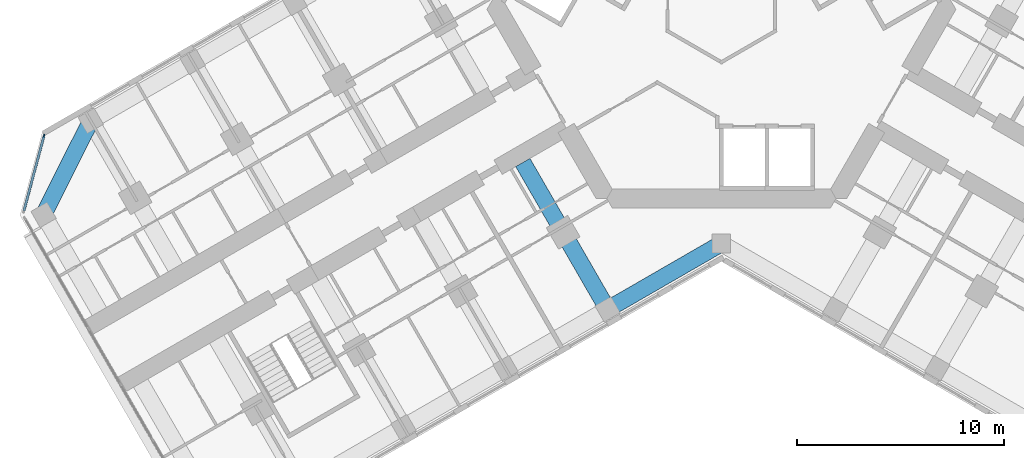
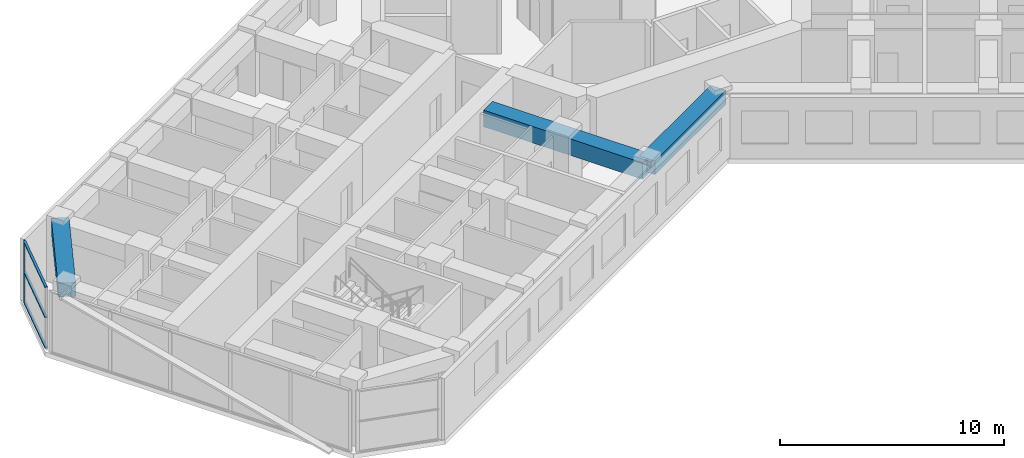
# One storey, part 3 of 19: 4 members, 3 beams, 1 element without a shape of its own.
"""IFC4 building model written with IfcOpenShell, lengths in metres."""

from ifc_helpers import new_model, si_unit, direction, frame, origin, origin_2d, place, context, subcontext, project, spatial, rectangle, extrude, material, material_profile, profile_set, type_object, element, aggregate, save


model = new_model("IFC4")

# Units and contexts
model_context = context("Model", 3, precision=1e-05, world=origin(), true_north=direction((0.0, 1.0)))
body_context = subcontext(model_context, "Body", "Model", "MODEL_VIEW")
ifc_project = project(units=[si_unit("LENGTHUNIT", "METRE"), si_unit("AREAUNIT", "SQUARE_METRE"), si_unit("VOLUMEUNIT", "CUBIC_METRE"), si_unit("PLANEANGLEUNIT", "RADIAN"), si_unit("MASSUNIT", "GRAM", prefix="KILO")], contexts=[model_context])

# Site, building, storey
site_placement = place(None, origin())
site = spatial("IfcSite", under=ifc_project, at=site_placement, CompositionType="ELEMENT")
building_placement = place(site_placement, origin())
building = spatial("IfcBuilding", under=site, at=building_placement, Name="Kosmar Iwan School Tower", CompositionType="ELEMENT")
storey_placement = place(building_placement, frame((0.0, 0.0, 141.800048828125)))
storey = spatial("IfcBuildingStorey", under=building, at=storey_placement, Name="L35", CompositionType="ELEMENT", Elevation=141.800048828125)

# Curtain wall, member
ifc_material_1 = material(Name="Dark glass in black aluminium frame", Category="aluminium")
curtain_wall_type = type_object("IfcCurtainWallType", Name="Chamfer curtain wall dark glass", PredefinedType="USERDEFINED", material=ifc_material_1)
curtain_wall_placement = place(storey_placement, origin())
curtain_wall = element("IfcCurtainWall", 1, at=curtain_wall_placement, inside=storey, type_object=curtain_wall_type, Name="Curtain wall L35-F12", ObjectType="FACETED CURTAIN WALL", PredefinedType="USERDEFINED")
ifc_material_2 = material(Name="Black anodised aluminium", Category="aluminium")
ifc_material_profile_1 = material_profile(ifc_material_2, rectangle(XDim=0.06005859375, YDim=0.159912109375, at=origin_2d()), Name="MULLION 60x160")
ifc_profile_set_1 = profile_set([ifc_material_profile_1], Name="Black anodised aluminium")
member_type_1 = type_object("IfcMemberType", Name="Mullion 60x160", PredefinedType="MULLION", material=ifc_profile_set_1)
member_1_placement = place(storey_placement, frame((-32.78076171875, -6.5732421875, 0.0), z_axis=(0.0, 0.0, 1.0), x_axis=(0.965925875495, -0.258818861462, 0.0)))
member_1 = element("IfcMember", 2, at=member_1_placement, type_object=member_type_1, Name="CW2 mullion 1", PredefinedType="MULLION", context=body_context, shape_type="SweptSolid", body=[
    extrude(rectangle(XDim=0.06005859375, YDim=0.159912109375, at=origin_2d()), origin(), (0.0, 0.0, 1.0), 3.349853515625),
])

# Beams
ifc_material_3 = material(Name="Concrete C50/60", Category="concrete")
ifc_material_profile_2 = material_profile(ifc_material_3, rectangle(XDim=0.800048828125, YDim=0.75, at=origin_2d()), Name="RC 800x750")
ifc_profile_set_2 = profile_set([ifc_material_profile_2], Name="Concrete C50/60")
beam_type_1 = type_object("IfcBeamType", Name="RC edge beam 800x750", PredefinedType="BEAM", material=ifc_profile_set_2)
beam_1_placement = place(storey_placement, frame((0.0, -11.77783203125, 2.974853515625), z_axis=(-0.866014293216, -0.500019243575, 0.0), x_axis=(0.500019243575, -0.866014293216, 0.0)))
element("IfcBeam", 3, at=beam_1_placement, inside=storey, type_object=beam_type_1, Name="Edge beam BL1", PredefinedType="BEAM", context=body_context, shape_type="SweptSolid", body=[
    extrude(rectangle(XDim=0.800048828125, YDim=0.75, at=origin_2d()), origin(), (0.0, 0.0, 1.0), 6.361083984375),
])
ifc_material_4 = material(Name="Concrete C50/60", Category="concrete")
ifc_material_profile_3 = material_profile(ifc_material_4, rectangle(XDim=0.800048828125, YDim=0.75, at=origin_2d()), Name="RC 800x750")
ifc_profile_set_3 = profile_set([ifc_material_profile_3], Name="Concrete C50/60")
beam_type_2 = type_object("IfcBeamType", Name="RC tip beam 800x750", PredefinedType="BEAM", material=ifc_profile_set_3)
beam_2_placement = place(storey_placement, frame((-30.517822265625, -5.841552734375, 2.974853515625), z_axis=(-0.44809604203, -0.893985423325, 0.0), x_axis=(0.893985423325, -0.44809604203, 0.0)))
element("IfcBeam", 4, at=beam_2_placement, inside=storey, type_object=beam_type_2, Name="Tip beam BR", PredefinedType="BEAM", context=body_context, shape_type="SweptSolid", body=[
    extrude(rectangle(XDim=0.800048828125, YDim=0.75, at=origin_2d()), origin(), (0.0, 0.0, 1.0), 5.08935546875),
])
ifc_material_5 = material(Name="Concrete C50/60", Category="concrete")
ifc_material_profile_4 = material_profile(ifc_material_5, rectangle(XDim=0.800048828125, YDim=0.89990234375, at=origin_2d()), Name="RC 800x900")
ifc_profile_set_4 = profile_set([ifc_material_profile_4], Name="Concrete C50/60")
beam_type_3 = type_object("IfcBeamType", Name="RC transverse beam 800x900", PredefinedType="BEAM", material=ifc_profile_set_4)
beam_3_placement = place(storey_placement, frame((-5.5087890625, -14.95849609375, 2.89990234375), z_axis=(-0.500000789788, 0.8660249478, 0.0), x_axis=(-0.8660249478, -0.500000789788, 0.0)))
element("IfcBeam", 5, at=beam_3_placement, inside=storey, type_object=beam_type_3, Name="Transverse beam BL1", PredefinedType="BEAM", context=body_context, shape_type="SweptSolid", body=[
    extrude(rectangle(XDim=0.800048828125, YDim=0.89990234375, at=origin_2d()), origin(), (0.0, 0.0, 1.0), 8.2001953125),
])

# Member
ifc_material_6 = material(Name="Black anodised aluminium", Category="aluminium")
ifc_material_profile_5 = material_profile(ifc_material_6, rectangle(XDim=0.1201171875, YDim=0.06005859375, at=origin_2d()), Name="TRANSOM 60x120")
ifc_profile_set_5 = profile_set([ifc_material_profile_5], Name="Black anodised aluminium")
member_type_2 = type_object("IfcMemberType", Name="Transom 60x120", PredefinedType="USERDEFINED", material=ifc_profile_set_5)
member_2_placement = place(storey_placement, frame((-32.788330078125, -6.602294921875, 0.030029296875), z_axis=(-0.258843273983, -0.965919333854, 0.0), x_axis=(0.965919333854, -0.258843273983, 0.0)))
member_2 = element("IfcMember", 6, at=member_2_placement, type_object=member_type_2, Name="CW2 transom 1.1", ObjectType="TRANSOM", PredefinedType="USERDEFINED", context=body_context, shape_type="SweptSolid", body=[
    extrude(rectangle(XDim=0.1201171875, YDim=0.06005859375, at=origin_2d()), origin(), (0.0, 0.0, 1.0), 3.718994140625),
])

member_3_placement = place(storey_placement, frame((-32.788330078125, -6.602294921875, 1.675048828125), z_axis=(-0.258843273983, -0.965919333854, 0.0), x_axis=(0.965919333854, -0.258843273983, 0.0)))
member_3 = element("IfcMember", 7, at=member_3_placement, type_object=member_type_2, Name="CW2 transom 1.2", ObjectType="TRANSOM", PredefinedType="USERDEFINED", context=body_context, shape_type="SweptSolid", body=[
    extrude(rectangle(XDim=0.1201171875, YDim=0.06005859375, at=origin_2d()), origin(), (0.0, 0.0, 1.0), 3.718994140625),
])

member_4_placement = place(storey_placement, frame((-32.788330078125, -6.602294921875, 3.320068359375), z_axis=(-0.258843273983, -0.965919333854, 0.0), x_axis=(0.965919333854, -0.258843273983, 0.0)))
member_4 = element("IfcMember", 8, at=member_4_placement, type_object=member_type_2, Name="CW2 transom 1.3", ObjectType="TRANSOM", PredefinedType="USERDEFINED", context=body_context, shape_type="SweptSolid", body=[
    extrude(rectangle(XDim=0.1201171875, YDim=0.06005859375, at=origin_2d()), origin(), (0.0, 0.0, 1.0), 3.718994140625),
])

aggregate(curtain_wall, [member_1, member_2, member_3, member_4])

save(model, "model.ifc")
